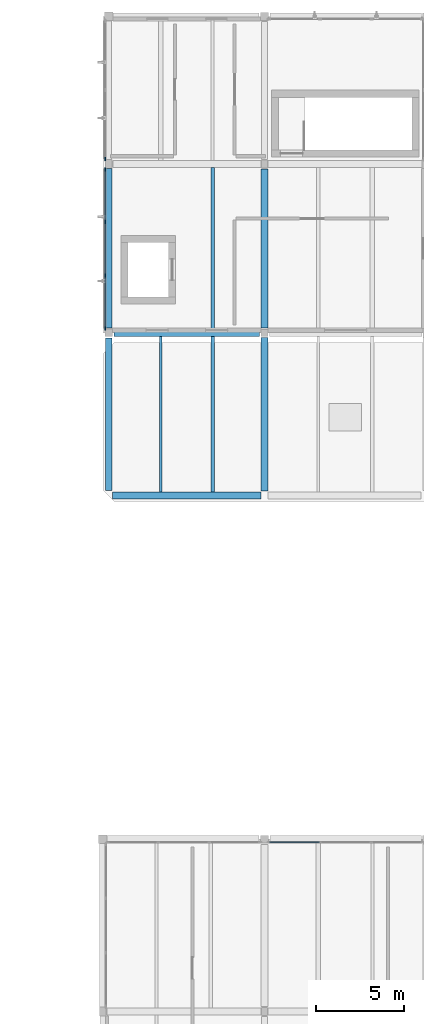
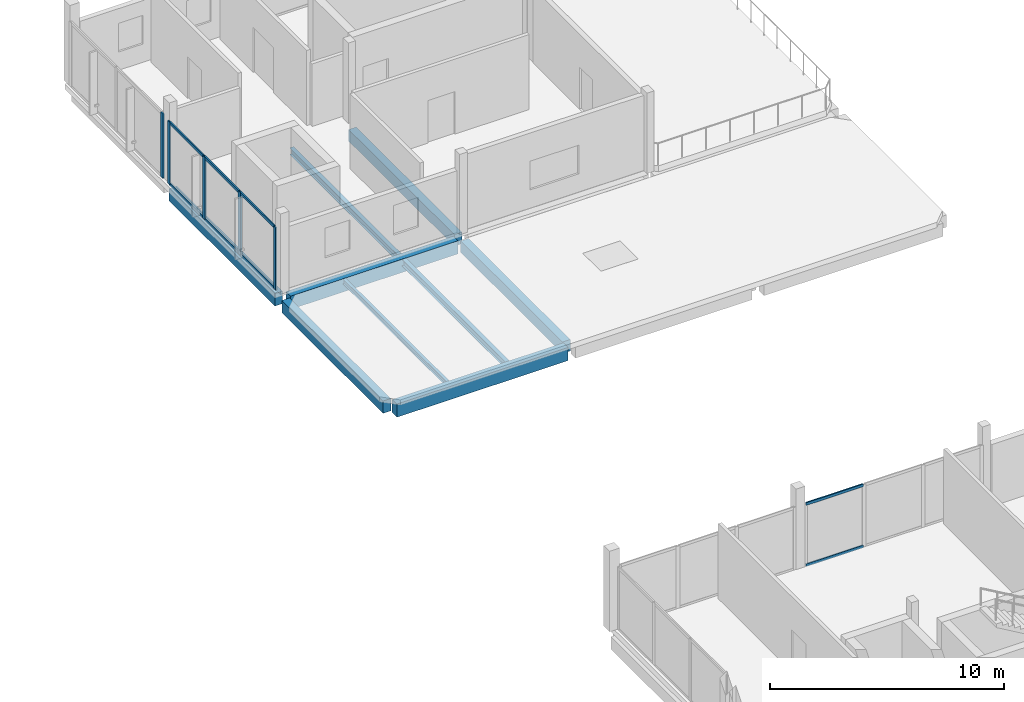
# One storey, part 11 of 35: 13 members, 9 beams, 3 elements without a shape of their own.
"""IFC4 building model written with IfcOpenShell, lengths in metres."""

import ifcopenshell
import ifcopenshell.guid

model = None  # the IFC model being written
_history = None  # IfcOwnerHistory: only IFC2X3 demands one
_inside = {}  # id of a spatial element -> (the spatial element, [elements in it])
_under = {}  # id of a project, library or spatial element -> (it, [spatial elements below it])
_declared = {}  # id of a project -> (the project, [libraries it declares])
_typed = {}  # id of a type object -> (the type object, [elements of that type])
_made_of = {}  # id of a material, layer set ... -> (it, [elements and type objects made of it])


def new_model(schema):
    """Start an empty IFC model of exactly this schema.

    Asked for "IFC4X3", IfcOpenShell would pick the latest addendum, in which some entities
    have other attributes; the version numbers below select the first issue.
    IFC2X3 requires an IfcOwnerHistory on every rooted entity: one is made here for all.
    """
    global model, _history
    if schema == "IFC4X3":
        model = ifcopenshell.file(schema_version=(4, 3, 0, 0))
    else:
        model = ifcopenshell.file(schema=schema)
    _inside.clear()
    _under.clear()
    _declared.clear()
    _typed.clear()
    _made_of.clear()
    _history = None
    if model.schema == "IFC2X3":
        org = make("IfcOrganization", Name="unknown")
        user = make(
            "IfcPersonAndOrganization",
            ThePerson=make("IfcPerson", FamilyName="unknown"),
            TheOrganization=org,
        )
        app = make(
            "IfcApplication",
            ApplicationDeveloper=org,
            Version="unknown",
            ApplicationFullName="unknown",
            ApplicationIdentifier="unknown",
        )
        _history = make(
            "IfcOwnerHistory",
            OwningUser=user,
            OwningApplication=app,
            ChangeAction="ADDED",
            CreationDate=0,
        )
    return model


def make(cls, **values):
    """One entity of the class cls with the attributes given. An attribute that is None is left unset."""
    return model.create_entity(
        cls, **{name: value for name, value in values.items() if value is not None}
    )


def rooted(cls, **values):
    """An entity with a GlobalId (a new one), such as an element, a storey or a relation."""
    return make(cls, GlobalId=ifcopenshell.guid.new(), OwnerHistory=_history, **values)


def si_unit(unit_type, name, prefix=None):
    """IfcSIUnit, for example si_unit("LENGTHUNIT", "METRE", prefix="MILLI")."""
    return make("IfcSIUnit", UnitType=unit_type, Prefix=prefix, Name=name)


def assignment(units):
    """IfcUnitAssignment: the units of a project."""
    return None if units is None else make("IfcUnitAssignment", Units=units)


def point(xyz):
    """IfcCartesianPoint."""
    return None if xyz is None else make("IfcCartesianPoint", Coordinates=xyz)


def direction(xyz):
    """IfcDirection."""
    return None if xyz is None else make("IfcDirection", DirectionRatios=xyz)


def frame(location, z_axis=None, x_axis=None):
    """IfcAxis2Placement3D, a coordinate frame: its origin and axes. An axis left out is left unset."""
    return make(
        "IfcAxis2Placement3D",
        Location=point(location),
        Axis=direction(z_axis),
        RefDirection=direction(x_axis),
    )


def frame_2d(location, x_axis=None):
    """IfcAxis2Placement2D, a coordinate frame in the plane: its origin and x axis."""
    return make(
        "IfcAxis2Placement2D", Location=point(location), RefDirection=direction(x_axis)
    )


def origin():
    """The frame at (0, 0, 0) with its axes left unset."""
    return frame((0.0, 0.0, 0.0))


def origin_2d():
    """The frame at (0, 0) in the plane with its x axis left unset."""
    return frame_2d((0.0, 0.0))


def place(relative_to, where):
    """IfcLocalPlacement: puts the frame where relative to a parent placement (None: the world)."""
    return make(
        "IfcLocalPlacement", PlacementRelTo=relative_to, RelativePlacement=where
    )


def context(
    kind, dimensions, precision=None, world=None, true_north=None, identifier=None
):
    """IfcGeometricRepresentationContext, for example the 3D "Model" context."""
    return make(
        "IfcGeometricRepresentationContext",
        ContextIdentifier=identifier,
        ContextType=kind,
        CoordinateSpaceDimension=dimensions,
        Precision=precision,
        WorldCoordinateSystem=world,
        TrueNorth=true_north,
    )


def subcontext(parent, identifier, kind, view, scale=None):
    """IfcGeometricRepresentationSubContext, for example "Body" below "Model"."""
    return make(
        "IfcGeometricRepresentationSubContext",
        ContextIdentifier=identifier,
        ContextType=kind,
        ParentContext=parent,
        TargetScale=scale,
        TargetView=view,
    )


def project(units=None, contexts=None):
    """IfcProject with its units and contexts."""
    return rooted(
        "IfcProject",
        Name="project",
        RepresentationContexts=contexts,
        UnitsInContext=assignment(units),
    )


def spatial(cls, under=None, at=None, **own):
    """A site, building, storey or space (cls), placed at a placement, below another one or the project."""
    s = rooted(cls, ObjectPlacement=at, **own)
    if under is not None:
        _under.setdefault(under.id(), (under, []))[1].append(s)
    return s


def profile(cls, at=None, kind="AREA", **sizes):
    """A parametric profile (cls). Its sizes go by their IFC names, for example OverallWidth=200.0."""
    return make(cls, ProfileType=kind, Position=at, **sizes)


def rectangle(**sizes):
    """IfcRectangleProfileDef."""
    return profile("IfcRectangleProfileDef", **sizes)


def i_section(**sizes):
    """IfcIShapeProfileDef."""
    return profile("IfcIShapeProfileDef", **sizes)


def extrude(swept, where, along, depth):
    """IfcExtrudedAreaSolid: the profile swept, set in the frame where, extruded along a direction by depth."""
    return make(
        "IfcExtrudedAreaSolid",
        SweptArea=swept,
        Position=where,
        ExtrudedDirection=direction(along),
        Depth=depth,
    )


def shape(context_of_items, identifier, shape_type, items):
    """IfcShapeRepresentation: the items that make up one representation, for example the "Body"."""
    return make(
        "IfcShapeRepresentation",
        ContextOfItems=context_of_items,
        RepresentationIdentifier=identifier,
        RepresentationType=shape_type,
        Items=items,
    )


def material(Name=None, Category=None):
    """IfcMaterial."""
    return make("IfcMaterial", Name=Name, Category=Category)


def layer(
    of_material, thickness, ventilated=None, Name=None, Category=None, Priority=None
):
    """IfcMaterialLayer: one layer of a wall or slab, of a material (None: an air gap)."""
    return make(
        "IfcMaterialLayer",
        Material=of_material,
        LayerThickness=thickness,
        IsVentilated=ventilated,
        Name=Name,
        Category=Category,
        Priority=Priority,
    )


def layer_set(layers, Name=None):
    """IfcMaterialLayerSet."""
    return make("IfcMaterialLayerSet", MaterialLayers=layers, LayerSetName=Name)


def material_profile(
    of_material, cross_section, Name=None, Category=None, Priority=None
):
    """IfcMaterialProfile: a cross section and its material."""
    return make(
        "IfcMaterialProfile",
        Name=Name,
        Material=of_material,
        Profile=cross_section,
        Priority=Priority,
        Category=Category,
    )


def profile_set(profiles, Name=None, composite=None):
    """IfcMaterialProfileSet."""
    return make(
        "IfcMaterialProfileSet",
        Name=Name,
        MaterialProfiles=profiles,
        CompositeProfile=composite,
    )


def made_of(thing, what):
    """Note that an element or type object is made of a material, layer set ...; save() writes the relation."""
    if what is not None:
        _made_of.setdefault(what.id(), (what, []))[1].append(thing)
    return thing


def type_object(cls, material=None, **own):
    """A type object (cls), such as IfcWallType, which elements share."""
    return made_of(rooted(cls, **own), material)


def element(
    cls,
    number,
    at=None,
    inside=None,
    cuts=None,
    type_object=None,
    material=None,
    context=None,
    identifier="Body",
    shape_type=None,
    held_by="IfcProductDefinitionShape",
    body=None,
    shapes=None,
    **own,
):
    """One element of the class cls, such as IfcWall. Its Tag is "e" and its number.

    at: its placement. inside: the storey or other place that contains it. cuts: it is an
    opening in that element (IfcRelVoidsElement). A single representation is given by context,
    identifier, shape_type and body (its items); several are given by shapes. held_by: the class
    of the entity that holds the representations. save() writes the other relations.
    """
    e = rooted(cls, Tag="e%d" % number, ObjectPlacement=at, **own)
    if body is not None:
        shapes = [shape(context, identifier, shape_type, body)]
    if shapes is not None:
        e.Representation = make(held_by, Representations=shapes)
    if inside is not None:
        _inside.setdefault(inside.id(), (inside, []))[1].append(e)
    if cuts is not None:
        rooted(
            "IfcRelVoidsElement", RelatingBuildingElement=cuts, RelatedOpeningElement=e
        )
    if type_object is not None:
        _typed.setdefault(type_object.id(), (type_object, []))[1].append(e)
    return made_of(e, material)


def aggregate(whole, parts):
    """IfcRelAggregates: a whole, such as a stair, and the parts it consists of."""
    return rooted("IfcRelAggregates", RelatingObject=whole, RelatedObjects=parts)


def save(model, path):
    """Write the relations noted so far, then the file.

    IfcRelAggregates (storeys below a building ...), IfcRelContainedInSpatialStructure (elements
    in a storey), IfcRelDefinesByType, IfcRelAssociatesMaterial and IfcRelDeclares: one each for
    every whole, place, type object, material and project.
    """
    for whole, parts in _under.values():
        aggregate(whole, parts)
    for where, things in _inside.values():
        rooted(
            "IfcRelContainedInSpatialStructure",
            RelatedElements=things,
            RelatingStructure=where,
        )
    for kind, things in _typed.values():
        rooted("IfcRelDefinesByType", RelatedObjects=things, RelatingType=kind)
    for what, things in _made_of.values():
        rooted("IfcRelAssociatesMaterial", RelatedObjects=things, RelatingMaterial=what)
    for by, libraries in _declared.values():
        rooted("IfcRelDeclares", RelatingContext=by, RelatedDefinitions=libraries)
    model.write(path)


model = new_model("IFC4")

# Units and contexts
model_context = context("Model", 3, precision=1e-05, world=origin(), true_north=direction((0.0, 1.0)))
body_context = subcontext(model_context, "Body", "Model", "MODEL_VIEW")
ifc_project = project(units=[si_unit("LENGTHUNIT", "METRE"), si_unit("AREAUNIT", "SQUARE_METRE"), si_unit("VOLUMEUNIT", "CUBIC_METRE"), si_unit("PLANEANGLEUNIT", "RADIAN"), si_unit("MASSUNIT", "GRAM", prefix="KILO")], contexts=[model_context])

# Site, building, storey
site_placement = place(None, origin())
site = spatial("IfcSite", under=ifc_project, at=site_placement, CompositionType="ELEMENT")
building_placement = place(site_placement, origin())
building = spatial("IfcBuilding", under=site, at=building_placement, Name="Birchvale Park Specialist Clinic", CompositionType="ELEMENT")
storey_placement = place(building_placement, frame((0.0, 0.0, 13.800048828125)))
storey = spatial("IfcBuildingStorey", under=building, at=storey_placement, Name="L03", CompositionType="ELEMENT", Elevation=13.800048828125)

# Beams
ifc_material_1 = material(Name="Concrete C40/50", Category="concrete")
ifc_material_profile_1 = material_profile(ifc_material_1, rectangle(XDim=0.39990234375, YDim=0.68994140625, at=origin_2d()), Name="RCB-400x690")
ifc_profile_set_1 = profile_set([ifc_material_profile_1], Name="Concrete C40/50")
beam_type_1 = type_object("IfcBeamType", Name="BM-EXT-BG4", PredefinedType="BEAM", material=ifc_profile_set_1)
beam_1_placement = place(storey_placement, frame((128.56005859375, 63.949951171875, -0.6201171875), z_axis=(1.0, 0.0, 0.0), x_axis=(0.0, 1.0, 0.0)))
element("IfcBeam", 1, at=beam_1_placement, inside=storey, type_object=beam_type_1, Name="V6 L03 X girder 1", PredefinedType="BEAM", context=body_context, shape_type="SweptSolid", body=[
    extrude(rectangle(XDim=0.39990234375, YDim=0.68994140625, at=origin_2d()), origin(), (0.0, 0.0, 1.0), 8.454833984375),
])
beam_2_placement = place(storey_placement, frame((128.639892578125, 73.199951171875, -0.625), z_axis=(1.0, 0.0, 0.0), x_axis=(0.0, 1.0, 0.0)))
element("IfcBeam", 2, at=beam_2_placement, inside=storey, type_object=beam_type_1, Name="V6 L03 X girder 4", PredefinedType="BEAM", context=body_context, shape_type="SweptSolid", body=[
    extrude(rectangle(XDim=0.39990234375, YDim=0.68994140625, at=origin_2d()), origin(), (0.0, 0.0, 1.0), 8.28515625),
])
ifc_material_profile_2 = material_profile(ifc_material_1, rectangle(XDim=0.3798828125, YDim=0.639892578125, at=origin_2d()), Name="RCB-380x640")
ifc_profile_set_2 = profile_set([ifc_material_profile_2], Name="Concrete C40/50")
beam_type_2 = type_object("IfcBeamType", Name="BM-EXT-BG5", PredefinedType="BEAM", material=ifc_profile_set_2)
beam_3_placement = place(storey_placement, frame((128.35009765625, 64.239990234375, -0.594970703125), z_axis=(0.0, 1.0, 0.0), x_axis=(-1.0, 0.0, 0.0)))
element("IfcBeam", 3, at=beam_3_placement, inside=storey, type_object=beam_type_2, Name="V6 L03 Y girder 13", PredefinedType="BEAM", context=body_context, shape_type="SweptSolid", body=[
    extrude(rectangle(XDim=0.3798828125, YDim=0.639892578125, at=origin_2d()), origin(), (0.0, 0.0, 1.0), 8.669921875),
])
beam_4_placement = place(storey_placement, frame((128.35009765625, 73.489990234375, -0.60009765625), z_axis=(0.0, 1.0, 0.0), x_axis=(-1.0, 0.0, 0.0)))
element("IfcBeam", 4, at=beam_4_placement, inside=storey, type_object=beam_type_2, Name="V6 L03 Y girder 14", PredefinedType="BEAM", context=body_context, shape_type="SweptSolid", body=[
    extrude(rectangle(XDim=0.3798828125, YDim=0.639892578125, at=origin_2d()), origin(), (0.0, 0.0, 1.0), 9.070068359375),
])
ifc_material_profile_3 = material_profile(ifc_material_1, rectangle(XDim=0.3798828125, YDim=0.60009765625, at=origin_2d()), Name="RCB-380x600")
ifc_profile_set_3 = profile_set([ifc_material_profile_3], Name="Concrete C40/50")
beam_type_3 = type_object("IfcBeamType", Name="BM-INT-BG5", PredefinedType="BEAM", material=ifc_profile_set_3)
beam_5_placement = place(storey_placement, frame((137.199951171875, 64.2099609375, -0.574951171875), z_axis=(0.0, 1.0, 0.0), x_axis=(-1.0, 0.0, 0.0)))
element("IfcBeam", 5, at=beam_5_placement, inside=storey, type_object=beam_type_3, Name="V6 L03 Y girder 16", PredefinedType="BEAM", context=body_context, shape_type="SweptSolid", body=[
    extrude(rectangle(XDim=0.3798828125, YDim=0.60009765625, at=origin_2d()), origin(), (0.0, 0.0, 1.0), 8.715087890625),
])
beam_6_placement = place(storey_placement, frame((137.199951171875, 73.47509765625, -0.580078125), z_axis=(0.0, 1.0, 0.0), x_axis=(-1.0, 0.0, 0.0)))
element("IfcBeam", 6, at=beam_6_placement, inside=storey, type_object=beam_type_3, Name="V6 L03 Y girder 17", PredefinedType="BEAM", context=body_context, shape_type="SweptSolid", body=[
    extrude(rectangle(XDim=0.3798828125, YDim=0.60009765625, at=origin_2d()), origin(), (0.0, 0.0, 1.0), 9.0498046875),
])

# Curtain wall, member
ifc_material_2 = material(Name="Thermally broken anodised aluminium", Category="aluminium")
ifc_layer_1 = layer(ifc_material_2, 0.2099609375)
ifc_layer_set_1 = layer_set([ifc_layer_1], Name="Thermally broken anodised aluminium")
curtain_wall_type_1 = type_object("IfcCurtainWallType", Name="CW-U3", PredefinedType="USERDEFINED", material=ifc_layer_set_1)
curtain_wall_1_placement = place(storey_placement, origin())
curtain_wall_1 = element("IfcCurtainWall", 7, at=curtain_wall_1_placement, inside=storey, type_object=curtain_wall_type_1, Name="V6 L03 glazed curtain wall 132", ObjectType="UNITISED", PredefinedType="USERDEFINED")
ifc_material_profile_4 = material_profile(ifc_material_2, rectangle(XDim=0.070068359375, YDim=0.199951171875, at=origin_2d()), Name="CWM-70x200")
ifc_profile_set_4 = profile_set([ifc_material_profile_4], Name="Thermally broken anodised aluminium")
member_type_1 = type_object("IfcMemberType", Name="CWM3", PredefinedType="MULLION", material=ifc_profile_set_4)
member_1_placement = place(storey_placement, frame((128.14501953125, 83.094970703125, 0.0), z_axis=(0.0, 0.0, 1.0), x_axis=(1.0, 0.0, 0.0)))
member_1 = element("IfcMember", 8, at=member_1_placement, type_object=member_type_1, Name="CW mullion 3", PredefinedType="MULLION", context=body_context, shape_type="SweptSolid", body=[
    extrude(rectangle(XDim=0.070068359375, YDim=0.199951171875, at=origin_2d()), origin(), (0.0, 0.0, 1.0), 3.369873046875),
])
aggregate(curtain_wall_1, [member_1])

# Curtain wall, members
curtain_wall_2_placement = place(storey_placement, origin())
curtain_wall_2 = element("IfcCurtainWall", 9, at=curtain_wall_2_placement, inside=storey, type_object=curtain_wall_type_1, Name="V6 L03 glazed curtain wall 133", ObjectType="UNITISED", PredefinedType="USERDEFINED")
member_2_placement = place(storey_placement, frame((128.14501953125, 82.5048828125, 0.0), z_axis=(0.0, 0.0, 1.0), x_axis=(1.0, 0.0, 0.0)))
member_2 = element("IfcMember", 10, at=member_2_placement, type_object=member_type_1, Name="CW mullion 1", PredefinedType="MULLION", context=body_context, shape_type="SweptSolid", body=[
    extrude(rectangle(XDim=0.070068359375, YDim=0.199951171875, at=origin_2d()), origin(), (0.0, 0.0, 1.0), 3.27001953125),
])
member_3_placement = place(storey_placement, frame((128.14501953125, 79.498291015625, 0.0), z_axis=(0.0, 0.0, 1.0), x_axis=(1.0, 0.0, 0.0)))
member_3 = element("IfcMember", 11, at=member_3_placement, type_object=member_type_1, Name="CW mullion 2", PredefinedType="MULLION", context=body_context, shape_type="SweptSolid", body=[
    extrude(rectangle(XDim=0.070068359375, YDim=0.199951171875, at=origin_2d()), origin(), (0.0, 0.0, 1.0), 3.27001953125),
])
member_4_placement = place(storey_placement, frame((128.14501953125, 76.456787109375, 0.0), z_axis=(0.0, 0.0, 1.0), x_axis=(1.0, 0.0, 0.0)))
member_4 = element("IfcMember", 12, at=member_4_placement, type_object=member_type_1, Name="CW mullion 3", PredefinedType="MULLION", context=body_context, shape_type="SweptSolid", body=[
    extrude(rectangle(XDim=0.070068359375, YDim=0.199951171875, at=origin_2d()), origin(), (0.0, 0.0, 1.0), 3.27001953125),
])
member_5_placement = place(storey_placement, frame((128.14501953125, 73.449951171875, 0.0), z_axis=(0.0, 0.0, 1.0), x_axis=(1.0, 0.0, 0.0)))
member_5 = element("IfcMember", 13, at=member_5_placement, type_object=member_type_1, Name="CW mullion 4", PredefinedType="MULLION", context=body_context, shape_type="SweptSolid", body=[
    extrude(rectangle(XDim=0.070068359375, YDim=0.199951171875, at=origin_2d()), origin(), (0.0, 0.0, 1.0), 3.27001953125),
])

ifc_layer_2 = layer(ifc_material_2, 0.195068359375)
ifc_layer_set_2 = layer_set([ifc_layer_2], Name="Thermally broken anodised aluminium")
curtain_wall_type_2 = type_object("IfcCurtainWallType", Name="CW-U2", PredefinedType="USERDEFINED", material=ifc_layer_set_2)
curtain_wall_3_placement = place(storey_placement, origin())
curtain_wall_3 = element("IfcCurtainWall", 14, at=curtain_wall_3_placement, inside=storey, type_object=curtain_wall_type_2, Name="V5 L03 glazed curtain wall 126", ObjectType="UNITISED", PredefinedType="USERDEFINED")
ifc_material_profile_5 = material_profile(ifc_material_2, rectangle(XDim=0.06494140625, YDim=0.139892578125, at=origin_2d()), Name="CWT-65x140")
ifc_profile_set_5 = profile_set([ifc_material_profile_5], Name="Thermally broken anodised aluminium")
member_type_2 = type_object("IfcMemberType", Name="CWT2", PredefinedType="USERDEFINED", material=ifc_profile_set_5)
member_6_placement = place(storey_placement, frame((140.3173828125, 44.22509765625, 0.032470703125), z_axis=(-1.0, 0.0, 0.0), x_axis=(0.0, -1.0, 0.0)))
member_6 = element("IfcMember", 15, at=member_6_placement, type_object=member_type_2, Name="CW transom 3.1", ObjectType="TRANSOM", PredefinedType="USERDEFINED", context=body_context, shape_type="SweptSolid", body=[
    extrude(rectangle(XDim=0.06494140625, YDim=0.139892578125, at=origin_2d()), origin(), (0.0, 0.0, 1.0), 2.827392578125),
])
member_7_placement = place(storey_placement, frame((140.3173828125, 44.22509765625, 3.2275390625), z_axis=(-1.0, 0.0, 0.0), x_axis=(0.0, -1.0, 0.0)))
member_7 = element("IfcMember", 16, at=member_7_placement, type_object=member_type_2, Name="CW transom 3.2", ObjectType="TRANSOM", PredefinedType="USERDEFINED", context=body_context, shape_type="SweptSolid", body=[
    extrude(rectangle(XDim=0.06494140625, YDim=0.139892578125, at=origin_2d()), origin(), (0.0, 0.0, 1.0), 2.827392578125),
])
aggregate(curtain_wall_3, [member_6, member_7])

# Member
ifc_material_profile_6 = material_profile(ifc_material_2, rectangle(XDim=0.070068359375, YDim=0.14990234375, at=origin_2d()), Name="CWT-70x150")
ifc_profile_set_6 = profile_set([ifc_material_profile_6], Name="Thermally broken anodised aluminium")
member_type_3 = type_object("IfcMemberType", Name="CWT3", PredefinedType="USERDEFINED", material=ifc_profile_set_6)
member_8_placement = place(storey_placement, frame((128.14501953125, 82.469970703125, 0.034912109375), z_axis=(0.0, -1.0, 0.0), x_axis=(1.0, 0.0, 0.0)))
member_8 = element("IfcMember", 17, at=member_8_placement, type_object=member_type_3, Name="CW transom 1.1", ObjectType="TRANSOM", PredefinedType="USERDEFINED", context=body_context, shape_type="SweptSolid", body=[
    extrude(rectangle(XDim=0.070068359375, YDim=0.14990234375, at=origin_2d()), origin(), (0.0, 0.0, 1.0), 2.9365234375),
])

member_9_placement = place(storey_placement, frame((128.14501953125, 82.469970703125, 3.23486328125), z_axis=(0.0, -1.0, 0.0), x_axis=(1.0, 0.0, 0.0)))
member_9 = element("IfcMember", 18, at=member_9_placement, type_object=member_type_3, Name="CW transom 1.2", ObjectType="TRANSOM", PredefinedType="USERDEFINED", context=body_context, shape_type="SweptSolid", body=[
    extrude(rectangle(XDim=0.070068359375, YDim=0.14990234375, at=origin_2d()), origin(), (0.0, 0.0, 1.0), 2.9365234375),
])

member_10_placement = place(storey_placement, frame((128.14501953125, 79.46337890625, 0.034912109375), z_axis=(0.0, -1.0, 0.0), x_axis=(1.0, 0.0, 0.0)))
member_10 = element("IfcMember", 19, at=member_10_placement, type_object=member_type_3, Name="CW transom 2.1", ObjectType="TRANSOM", PredefinedType="USERDEFINED", context=body_context, shape_type="SweptSolid", body=[
    extrude(rectangle(XDim=0.070068359375, YDim=0.14990234375, at=origin_2d()), origin(), (0.0, 0.0, 1.0), 2.9716796875),
])

member_11_placement = place(storey_placement, frame((128.14501953125, 79.46337890625, 3.23486328125), z_axis=(0.0, -1.0, 0.0), x_axis=(1.0, 0.0, 0.0)))
member_11 = element("IfcMember", 20, at=member_11_placement, type_object=member_type_3, Name="CW transom 2.2", ObjectType="TRANSOM", PredefinedType="USERDEFINED", context=body_context, shape_type="SweptSolid", body=[
    extrude(rectangle(XDim=0.070068359375, YDim=0.14990234375, at=origin_2d()), origin(), (0.0, 0.0, 1.0), 2.9716796875),
])

member_12_placement = place(storey_placement, frame((128.14501953125, 76.421630859375, 0.034912109375), z_axis=(0.0, -1.0, 0.0), x_axis=(1.0, 0.0, 0.0)))
member_12 = element("IfcMember", 21, at=member_12_placement, type_object=member_type_3, Name="CW transom 3.1", ObjectType="TRANSOM", PredefinedType="USERDEFINED", context=body_context, shape_type="SweptSolid", body=[
    extrude(rectangle(XDim=0.070068359375, YDim=0.14990234375, at=origin_2d()), origin(), (0.0, 0.0, 1.0), 2.9365234375),
])

member_13_placement = place(storey_placement, frame((128.14501953125, 76.421630859375, 3.23486328125), z_axis=(0.0, -1.0, 0.0), x_axis=(1.0, 0.0, 0.0)))
member_13 = element("IfcMember", 22, at=member_13_placement, type_object=member_type_3, Name="CW transom 3.2", ObjectType="TRANSOM", PredefinedType="USERDEFINED", context=body_context, shape_type="SweptSolid", body=[
    extrude(rectangle(XDim=0.070068359375, YDim=0.14990234375, at=origin_2d()), origin(), (0.0, 0.0, 1.0), 2.9365234375),
])

aggregate(curtain_wall_2, [member_2, member_3, member_4, member_5, member_8, member_9, member_10, member_11, member_12, member_13])

# Beams
ifc_material_3 = material(Name="Steel ASTM A992 Grade 50", Category="steel")
ifc_material_profile_7 = material_profile(ifc_material_3, i_section(OverallWidth=0.2041015625, OverallDepth=0.35107421875, WebThickness=0.008544921875, FlangeThickness=0.01513671875, at=origin_2d()), Name="W14X48")
ifc_profile_set_7 = profile_set([ifc_material_profile_7], Name="Steel ASTM A992 Grade 50")
beam_type_4 = type_object("IfcBeamType", Name="STL-INT-SJ1", PredefinedType="JOIST", material=ifc_profile_set_7)
beam_7_placement = place(storey_placement, frame((134.25, 64.14990234375, -0.450439453125), z_axis=(0.0, 1.0, 0.0), x_axis=(-1.0, 0.0, 0.0)))
element("IfcBeam", 23, at=beam_7_placement, inside=storey, type_object=beam_type_4, Name="V6 L03 secondary floor joist 2", PredefinedType="JOIST", context=body_context, shape_type="SweptSolid", body=[
    extrude(i_section(OverallWidth=0.2041015625, OverallDepth=0.35107421875, WebThickness=0.008544921875, FlangeThickness=0.01513671875, at=origin_2d()), origin(), (0.0, 0.0, 1.0), 8.85009765625),
])
beam_8_placement = place(storey_placement, frame((134.25, 73.39990234375, -0.45556640625), z_axis=(0.0, 1.0, 0.0), x_axis=(-1.0, 0.0, 0.0)))
element("IfcBeam", 24, at=beam_8_placement, inside=storey, type_object=beam_type_4, Name="V6 L03 secondary floor joist 3", PredefinedType="JOIST", context=body_context, shape_type="SweptSolid", body=[
    extrude(i_section(OverallWidth=0.2041015625, OverallDepth=0.35107421875, WebThickness=0.008544921875, FlangeThickness=0.01513671875, at=origin_2d()), origin(), (0.0, 0.0, 1.0), 9.2001953125),
])
ifc_material_profile_8 = material_profile(ifc_material_3, i_section(OverallWidth=0.14697265625, OverallDepth=0.261962890625, WebThickness=0.006591796875, FlangeThickness=0.01123046875, at=origin_2d()), Name="W10X26")
ifc_profile_set_8 = profile_set([ifc_material_profile_8], Name="Steel ASTM A992 Grade 50")
beam_type_5 = type_object("IfcBeamType", Name="STL-INT-SJ5", PredefinedType="JOIST", material=ifc_profile_set_8)
beam_9_placement = place(storey_placement, frame((131.300048828125, 64.14990234375, -0.406005859375), z_axis=(0.0, 1.0, 0.0), x_axis=(-1.0, 0.0, 0.0)))
element("IfcBeam", 25, at=beam_9_placement, inside=storey, type_object=beam_type_5, Name="V6 L03 secondary floor joist 1", PredefinedType="JOIST", context=body_context, shape_type="SweptSolid", body=[
    extrude(i_section(OverallWidth=0.14697265625, OverallDepth=0.261962890625, WebThickness=0.006591796875, FlangeThickness=0.01123046875, at=origin_2d()), origin(), (0.0, 0.0, 1.0), 8.85009765625),
])

save(model, "model.ifc")
